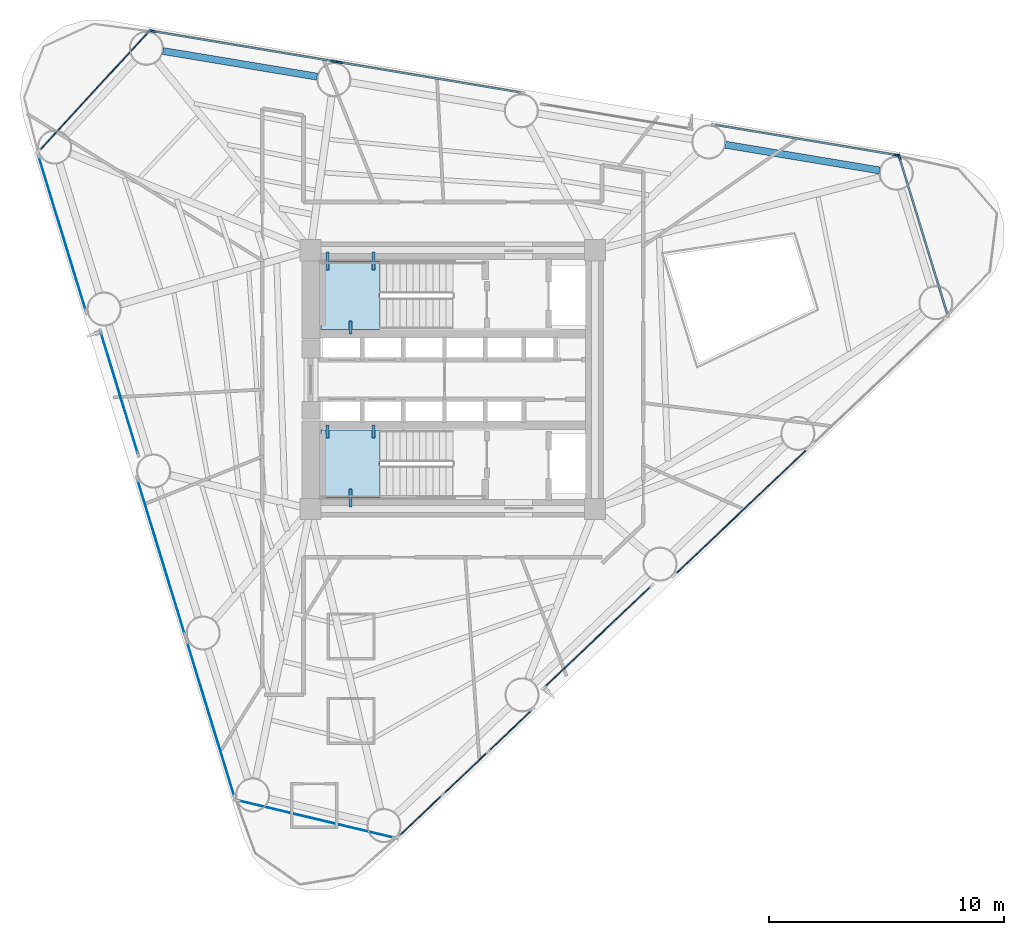
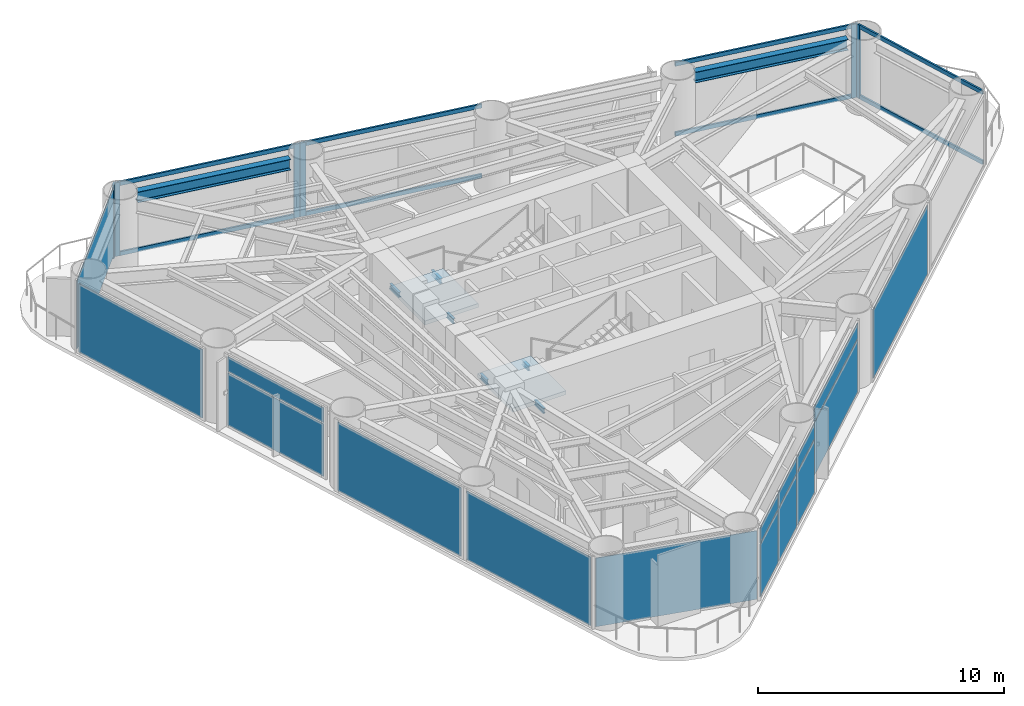
# One storey, part 4 of 10: 16 plates, 14 members, 8 beams, 2 slabs, 15 elements without a shape of their own.
"""IFC4 building model written with IfcOpenShell, lengths in metres."""

from ifc_helpers import new_model, si_unit, direction, frame, origin, origin_2d, place, context, subcontext, project, spatial, polyline, rectangle, i_section, outline, extrude, source, transform, mapped, material, layer, layer_set, material_profile, profile_set, type_object, element, aggregate, save


model = new_model("IFC4")

# Units and contexts
model_context = context("Model", 3, precision=1e-05, world=origin(), true_north=direction((0.0, 1.0)))
body_context = subcontext(model_context, "Body", "Model", "MODEL_VIEW")
ifc_project = project(units=[si_unit("LENGTHUNIT", "METRE"), si_unit("AREAUNIT", "SQUARE_METRE"), si_unit("VOLUMEUNIT", "CUBIC_METRE"), si_unit("PLANEANGLEUNIT", "RADIAN"), si_unit("MASSUNIT", "GRAM", prefix="KILO")], contexts=[model_context])

# Site, building, storey
site_placement = place(None, origin())
site = spatial("IfcSite", under=ifc_project, at=site_placement, CompositionType="ELEMENT")
building_placement = place(site_placement, origin())
building = spatial("IfcBuilding", under=site, at=building_placement, Name="Yunling Apex Tower", CompositionType="ELEMENT")
storey_placement = place(building_placement, frame((0.0, 0.0, 104.89990234375)))
storey = spatial("IfcBuildingStorey", under=building, at=storey_placement, Name="L26", CompositionType="ELEMENT", Elevation=104.89990234375)

# Beams
ifc_material_1 = material(Name="Steel Q355B", Category="steel")
ifc_material_profile_1 = material_profile(ifc_material_1, i_section(OverallWidth=0.125, OverallDepth=0.25, WebThickness=0.006103515625, FlangeThickness=0.009033203125, FilletRadius=0.011962890625, at=origin_2d()))
ifc_profile_set_1 = profile_set([ifc_material_profile_1], Name="Steel Q355B")
beam_type_1 = type_object("IfcBeamType", Name="BL-LNT-1", PredefinedType="LINTEL", material=ifc_profile_set_1)
shared_shape_1 = source(origin(), body_context, "Body", "SweptSolid", [
    extrude(i_section(OverallWidth=0.125, OverallDepth=0.25, WebThickness=0.006103515625, FlangeThickness=0.009033203125, FilletRadius=0.011962890625, at=origin_2d()), origin(), (0.0, 0.0, 1.0), 0.760009765625),
])
for number, where, z_axis, x_axis, name in (
    (1, (-5.320068359375, 5.419921875, 1.55517578125), (0.0, -1.0, 0.0), (1.0, 0.0, 0.0), "L26 ST-1 Landing Bearing Corbel 1-1"),
    (2, (-3.3701171875, 5.419921875, 1.55517578125), (0.0, -1.0, 0.0), (1.0, 0.0, 0.0), "L26 ST-1 Landing Bearing Corbel 1-2"),
    (3, (-4.344970703125, -5.419921875, 1.55517578125), (0.0, 1.0, 0.0), (-1.0, 0.0, 0.0), "L26 ST-2 Landing Bearing Corbel 1-3"),
):
    element("IfcBeam", number, at=place(storey_placement, frame(where, z_axis=z_axis, x_axis=x_axis)), inside=storey, type_object=beam_type_1, Name=name, PredefinedType="LINTEL", context=body_context, shape_type="MappedRepresentation", body=[
        mapped(shared_shape_1, transform((0.0, 0.0, 0.0), scale=1.0)),
    ])
shared_shape_2 = source(origin(), body_context, "Body", "SweptSolid", [
    extrude(i_section(OverallWidth=0.125, OverallDepth=0.25, WebThickness=0.006103515625, FlangeThickness=0.009033203125, FilletRadius=0.011962890625, at=origin_2d()), origin(), (0.0, 0.0, 1.0), 0.550048828125),
])
for number, where, z_axis, x_axis, name in (
    (4, (-4.344970703125, 1.93994140625, 1.55517578125), (0.0, 1.0, 0.0), (-1.0, 0.0, 0.0), "L26 ST-1 Landing Bearing Corbel 1-3"),
    (5, (-5.320068359375, -1.93994140625, 1.55517578125), (0.0, -1.0, 0.0), (1.0, 0.0, 0.0), "L26 ST-2 Landing Bearing Corbel 1-1"),
    (6, (-3.3701171875, -1.93994140625, 1.55517578125), (0.0, -1.0, 0.0), (1.0, 0.0, 0.0), "L26 ST-2 Landing Bearing Corbel 1-2"),
):
    element("IfcBeam", number, at=place(storey_placement, frame(where, z_axis=z_axis, x_axis=x_axis)), inside=storey, type_object=beam_type_1, Name=name, PredefinedType="LINTEL", context=body_context, shape_type="MappedRepresentation", body=[
        mapped(shared_shape_2, transform((0.0, 0.0, 0.0), scale=1.0)),
    ])
ifc_material_profile_2 = material_profile(ifc_material_1, i_section(OverallWidth=0.300048828125, OverallDepth=0.5400390625, WebThickness=0.011962890625, FlangeThickness=0.02001953125, FilletRadius=0.02392578125, at=origin_2d()))
ifc_profile_set_2 = profile_set([ifc_material_profile_2], Name="Steel Q355B")
beam_type_2 = type_object("IfcBeamType", Name="BP-SPN-1", PredefinedType="SPANDREL", material=ifc_profile_set_2)
shared_shape_3 = source(origin(), body_context, "Body", "SweptSolid", [
    extrude(i_section(OverallWidth=0.300048828125, OverallDepth=0.5400390625, WebThickness=0.011962890625, FlangeThickness=0.02001953125, FilletRadius=0.02392578125, at=origin_2d()), origin(), (0.0, 0.0, 1.0), 6.641845703125),
])
for number, where, z_axis, x_axis, name in (
    (7, (18.14599609375, 8.89111328125, 3.295166015625), (-0.986396904036, 0.164381105081, 0.0), (-0.164381105081, -0.986396904036, 0.0), "L26 Perimeter Spandrel Beam 6"),
    (8, (-5.763671875, 12.875244140625, 3.295166015625), (-0.986402863526, 0.164345340146, 0.0), (-0.164345340146, -0.986402863526, 0.0), "L26 Perimeter Spandrel Beam 9"),
):
    element("IfcBeam", number, at=place(storey_placement, frame(where, z_axis=z_axis, x_axis=x_axis)), inside=storey, type_object=beam_type_2, Name=name, PredefinedType="SPANDREL", context=body_context, shape_type="MappedRepresentation", body=[
        mapped(shared_shape_3, transform((0.0, 0.0, 0.0), scale=1.0)),
    ])

# Curtain wall, member
ifc_material_2 = material(Name="Bronze anodised aluminium", Category="aluminium")
ifc_layer_1 = layer(ifc_material_2, 0.260009765625)
ifc_layer_set_1 = layer_set([ifc_layer_1], Name="Bronze anodised aluminium")
curtain_wall_type = type_object("IfcCurtainWallType", Name="CW-SYS-2", PredefinedType="NOTDEFINED", material=ifc_layer_set_1)
curtain_wall_1_placement = place(storey_placement, origin())
curtain_wall_1 = element("IfcCurtainWall", 9, at=curtain_wall_1_placement, inside=storey, type_object=curtain_wall_type, Name="CW-L26-CRN1", PredefinedType="NOTDEFINED")
ifc_material_profile_3 = material_profile(ifc_material_2, rectangle(XDim=0.0849609375, YDim=0.260009765625, at=origin_2d()))
ifc_profile_set_3 = profile_set([ifc_material_profile_3], Name="Bronze anodised aluminium")
member_type_1 = type_object("IfcMemberType", Name="CW-MUL-2", PredefinedType="MULLION", material=ifc_profile_set_3)
shared_shape_4 = source(origin(), body_context, "Body", "SweptSolid", [
    extrude(rectangle(XDim=0.0849609375, YDim=0.260009765625, at=origin_2d()), origin(), (0.0, 0.0, 1.0), 3.664794921875),
])
member_1_placement = place(storey_placement, frame((18.9892578125, 9.46240234375, -0.0498046875), z_axis=(0.0, 0.0, 1.0), x_axis=(-0.95630374567, -0.292375009223, 0.0)))
member_1 = element("IfcMember", 10, at=member_1_placement, type_object=member_type_1, Name="CW-SYS-2 mullion 2", PredefinedType="MULLION", context=body_context, shape_type="MappedRepresentation", body=[
    mapped(shared_shape_4, transform((0.0, 0.0, 0.0), scale=1.0)),
])

curtain_wall_2_placement = place(storey_placement, origin())
curtain_wall_2 = element("IfcCurtainWall", 11, at=curtain_wall_2_placement, inside=storey, type_object=curtain_wall_type, Name="CW-L26-F2-B1", PredefinedType="NOTDEFINED")
member_2_placement = place(storey_placement, frame((18.859375, 9.54296875, -0.0498046875), z_axis=(0.0, 0.0, 1.0), x_axis=(-0.16436008369, -0.98640040698, 0.0)))
member_2 = element("IfcMember", 12, at=member_2_placement, type_object=member_type_1, Name="CW-SYS-2 mullion 1", PredefinedType="MULLION", context=body_context, shape_type="MappedRepresentation", body=[
    mapped(shared_shape_4, transform((0.0, 0.0, 0.0), scale=1.0)),
])

curtain_wall_3_placement = place(storey_placement, origin())
curtain_wall_3 = element("IfcCurtainWall", 13, at=curtain_wall_3_placement, inside=storey, type_object=curtain_wall_type, Name="CW-L26-F2-B3", PredefinedType="NOTDEFINED")
member_3_placement = place(storey_placement, frame((-4.80859375, 13.486572265625, -0.0498046875), z_axis=(0.0, 0.0, 1.0), x_axis=(-0.164362130784, -0.986400065878, 0.0)))
member_3 = element("IfcMember", 14, at=member_3_placement, type_object=member_type_1, Name="CW-SYS-2 mullion 2", PredefinedType="MULLION", context=body_context, shape_type="MappedRepresentation", body=[
    mapped(shared_shape_4, transform((0.0, 0.0, 0.0), scale=1.0)),
])

# Curtain wall, members
curtain_wall_4_placement = place(storey_placement, origin())
curtain_wall_4 = element("IfcCurtainWall", 15, at=curtain_wall_4_placement, inside=storey, type_object=curtain_wall_type, Name="CW-L26-F2-B4", PredefinedType="NOTDEFINED")
member_4_placement = place(storey_placement, frame((-5.05029296875, 13.52685546875, -0.0498046875), z_axis=(0.0, 0.0, 1.0), x_axis=(-0.16436008369, -0.98640040698, 0.0)))
member_4 = element("IfcMember", 16, at=member_4_placement, type_object=member_type_1, Name="CW-SYS-2 mullion 1", PredefinedType="MULLION", context=body_context, shape_type="MappedRepresentation", body=[
    mapped(shared_shape_4, transform((0.0, 0.0, 0.0), scale=1.0)),
])
member_5_placement = place(storey_placement, frame((-12.778564453125, 14.814697265625, -0.0498046875), z_axis=(0.0, 0.0, 1.0), x_axis=(-0.16436008369, -0.98640040698, 0.0)))
member_5 = element("IfcMember", 17, at=member_5_placement, type_object=member_type_1, Name="CW-SYS-2 mullion 2", PredefinedType="MULLION", context=body_context, shape_type="MappedRepresentation", body=[
    mapped(shared_shape_4, transform((0.0, 0.0, 0.0), scale=1.0)),
])

# Curtain wall, member
curtain_wall_5_placement = place(storey_placement, origin())
curtain_wall_5 = element("IfcCurtainWall", 18, at=curtain_wall_5_placement, inside=storey, type_object=curtain_wall_type, Name="CW-L26-CRN2", PredefinedType="NOTDEFINED")
member_6_placement = place(storey_placement, frame((-12.931396484375, 14.78369140625, -0.0498046875), z_axis=(0.0, 0.0, 1.0), x_axis=(0.736184624933, -0.676780760669, 0.0)))
member_6 = element("IfcMember", 19, at=member_6_placement, type_object=member_type_1, Name="CW-SYS-2 mullion 1", PredefinedType="MULLION", context=body_context, shape_type="MappedRepresentation", body=[
    mapped(shared_shape_4, transform((0.0, 0.0, 0.0), scale=1.0)),
])

# Member
ifc_material_profile_4 = material_profile(ifc_material_2, rectangle(XDim=0.0849609375, YDim=0.199951171875, at=origin_2d()))
ifc_profile_set_4 = profile_set([ifc_material_profile_4], Name="Bronze anodised aluminium")
member_type_2 = type_object("IfcMemberType", Name="CW-TRN-2", PredefinedType="USERDEFINED", material=ifc_profile_set_4)
shared_shape_5 = source(origin(), body_context, "Body", "SweptSolid", [
    extrude(rectangle(XDim=0.0849609375, YDim=0.199951171875, at=origin_2d()), origin(), (0.0, 0.0, 1.0), 7.75830078125),
])
member_7_placement = place(storey_placement, frame((18.821533203125, 9.549072265625, 0.04248046875), z_axis=(-0.986400726912, 0.164358163615, 0.0), x_axis=(-0.164358163615, -0.986400726912, 0.0)))
member_7 = element("IfcMember", 20, at=member_7_placement, type_object=member_type_2, Name="CW-SYS-2 transom 1.1", ObjectType="TRANSOM", PredefinedType="USERDEFINED", context=body_context, shape_type="MappedRepresentation", body=[
    mapped(shared_shape_5, transform((0.0, 0.0, 0.0), scale=1.0)),
])

member_8_placement = place(storey_placement, frame((18.821533203125, 9.549072265625, 3.522705078125), z_axis=(-0.986400726912, 0.164358163615, 0.0), x_axis=(-0.164358163615, -0.986400726912, 0.0)))
member_8 = element("IfcMember", 21, at=member_8_placement, type_object=member_type_2, Name="CW-SYS-2 transom 1.2", ObjectType="TRANSOM", PredefinedType="USERDEFINED", context=body_context, shape_type="MappedRepresentation", body=[
    mapped(shared_shape_5, transform((0.0, 0.0, 0.0), scale=1.0)),
])

aggregate(curtain_wall_2, [member_2, member_7, member_8])

member_9_placement = place(storey_placement, frame((2.8818359375, 12.205078125, 0.04248046875), z_axis=(-0.986400726912, 0.164358163615, 0.0), x_axis=(-0.164358163615, -0.986400726912, 0.0)))
member_9 = element("IfcMember", 22, at=member_9_placement, type_object=member_type_2, Name="CW-SYS-2 transom 1.1", ObjectType="TRANSOM", PredefinedType="USERDEFINED", context=body_context, shape_type="MappedRepresentation", body=[
    mapped(shared_shape_5, transform((0.0, 0.0, 0.0), scale=1.0)),
])

member_10_placement = place(storey_placement, frame((2.8818359375, 12.205078125, 3.522705078125), z_axis=(-0.986400726912, 0.164358163615, 0.0), x_axis=(-0.164358163615, -0.986400726912, 0.0)))
member_10 = element("IfcMember", 23, at=member_10_placement, type_object=member_type_2, Name="CW-SYS-2 transom 1.2", ObjectType="TRANSOM", PredefinedType="USERDEFINED", context=body_context, shape_type="MappedRepresentation", body=[
    mapped(shared_shape_5, transform((0.0, 0.0, 0.0), scale=1.0)),
])

aggregate(curtain_wall_3, [member_3, member_9, member_10])

member_11_placement = place(storey_placement, frame((-5.088134765625, 13.533203125, 0.04248046875), z_axis=(-0.986400726912, 0.164358163615, 0.0), x_axis=(-0.164358163615, -0.986400726912, 0.0)))
member_11 = element("IfcMember", 24, at=member_11_placement, type_object=member_type_2, Name="CW-SYS-2 transom 1.1", ObjectType="TRANSOM", PredefinedType="USERDEFINED", context=body_context, shape_type="MappedRepresentation", body=[
    mapped(shared_shape_5, transform((0.0, 0.0, 0.0), scale=1.0)),
])

member_12_placement = place(storey_placement, frame((-5.088134765625, 13.533203125, 3.522705078125), z_axis=(-0.986400726912, 0.164358163615, 0.0), x_axis=(-0.164358163615, -0.986400726912, 0.0)))
member_12 = element("IfcMember", 25, at=member_12_placement, type_object=member_type_2, Name="CW-SYS-2 transom 1.2", ObjectType="TRANSOM", PredefinedType="USERDEFINED", context=body_context, shape_type="MappedRepresentation", body=[
    mapped(shared_shape_5, transform((0.0, 0.0, 0.0), scale=1.0)),
])

aggregate(curtain_wall_4, [member_4, member_5, member_11, member_12])

shared_shape_6 = source(origin(), body_context, "Body", "SweptSolid", [
    extrude(rectangle(XDim=0.0849609375, YDim=0.199951171875, at=origin_2d()), origin(), (0.0, 0.0, 1.0), 6.91748046875),
])
member_13_placement = place(storey_placement, frame((21.02294921875, 2.810546875, 0.04248046875), z_axis=(-0.292369169584, 0.956305531029, 0.0), x_axis=(-0.956305531029, -0.292369169584, 0.0)))
member_13 = element("IfcMember", 26, at=member_13_placement, type_object=member_type_2, Name="CW-SYS-2 transom 1.1", ObjectType="TRANSOM", PredefinedType="USERDEFINED", context=body_context, shape_type="MappedRepresentation", body=[
    mapped(shared_shape_6, transform((0.0, 0.0, 0.0), scale=1.0)),
])

member_14_placement = place(storey_placement, frame((21.02294921875, 2.810546875, 3.522705078125), z_axis=(-0.292369169584, 0.956305531029, 0.0), x_axis=(-0.956305531029, -0.292369169584, 0.0)))
member_14 = element("IfcMember", 27, at=member_14_placement, type_object=member_type_2, Name="CW-SYS-2 transom 1.2", ObjectType="TRANSOM", PredefinedType="USERDEFINED", context=body_context, shape_type="MappedRepresentation", body=[
    mapped(shared_shape_6, transform((0.0, 0.0, 0.0), scale=1.0)),
])

aggregate(curtain_wall_1, [member_1, member_13, member_14])

# Stair, slab
ifc_material_3 = material(Name="Concrete C40", Category="concrete")
stair_type = type_object("IfcStairType", Name="ST-TWR-1", PredefinedType="HALF_TURN_STAIR", material=ifc_material_3)
stair_1_placement = place(storey_placement, origin())
stair_1 = element("IfcStair", 28, at=stair_1_placement, inside=storey, type_object=stair_type, Name="L26 North Core Smokeproof Exit Stair ST-1", PredefinedType="HALF_TURN_STAIR")
ifc_layer_2 = layer(ifc_material_3, 0.195068359375)
ifc_layer_set_2 = layer_set([ifc_layer_2], Name="Concrete C40")
slab_type = type_object("IfcSlabType", Name="SL-LND-1", PredefinedType="LANDING", material=ifc_layer_set_2)
slab_1_placement = place(storey_placement, frame((0.0, 0.0, 1.68017578125)))
slab_1 = element("IfcSlab", 29, at=slab_1_placement, type_object=slab_type, Name="ST-1 landing 1", PredefinedType="LANDING", context=body_context, shape_type="SweptSolid", body=[
    extrude(outline(polyline([(-3.090087890625, 5.010009765625), (-5.60009765625, 5.010009765625), (-5.60009765625, 2.139892578125), (-3.090087890625, 2.139892578125), (-3.090087890625, 5.010009765625)])), origin(), (0.0, 0.0, 1.0), 0.19482421875),
])
aggregate(stair_1, [slab_1])

stair_2_placement = place(storey_placement, origin())
stair_2 = element("IfcStair", 30, at=stair_2_placement, inside=storey, type_object=stair_type, Name="L26 South Core Smokeproof Exit Stair ST-2", PredefinedType="HALF_TURN_STAIR")
slab_2_placement = place(storey_placement, frame((0.0, 0.0, 1.68017578125)))
slab_2 = element("IfcSlab", 31, at=slab_2_placement, type_object=slab_type, Name="ST-2 landing 1", PredefinedType="LANDING", context=body_context, shape_type="SweptSolid", body=[
    extrude(outline(polyline([(-3.090087890625, -2.139892578125), (-5.60009765625, -2.139892578125), (-5.60009765625, -5.010009765625), (-3.090087890625, -5.010009765625), (-3.090087890625, -2.139892578125)])), origin(), (0.0, 0.0, 1.0), 0.19482421875),
])
aggregate(stair_2, [slab_2])

# Curtain wall, plates
curtain_wall_6_placement = place(storey_placement, origin())
curtain_wall_6 = element("IfcCurtainWall", 32, at=curtain_wall_6_placement, inside=storey, type_object=curtain_wall_type, Name="CW-L26-F1-B1", PredefinedType="NOTDEFINED")
ifc_material_4 = material(Name="Bronze tinted low-E glass", Category="glass")
ifc_layer_3 = layer(ifc_material_4, 0.033935546875)
ifc_layer_set_3 = layer_set([ifc_layer_3], Name="Bronze tinted low-E glass")
plate_type = type_object("IfcPlateType", Name="CW-PNL-2", PredefinedType="CURTAIN_PANEL", material=ifc_layer_set_3)
shared_shape_7 = source(origin(), body_context, "Body", "SweptSolid", [
    extrude(rectangle(XDim=2.52880859375, YDim=0.033935546875, at=origin_2d()), origin(), (0.0, 0.0, 1.0), 2.60400390625),
])
plate_1_placement = place(storey_placement, frame((-1.366943359375, -18.5341796875, 0.076904296875), z_axis=(0.0, 0.0, 1.0), x_axis=(0.72584218686, 0.687861264918, 0.0)))
plate_1 = element("IfcPlate", 33, at=plate_1_placement, type_object=plate_type, Name="CW-SYS-2 panel 1.1", PredefinedType="CURTAIN_PANEL", context=body_context, shape_type="MappedRepresentation", body=[
    mapped(shared_shape_7, transform((0.0, 0.0, 0.0), scale=1.0)),
])
plate_2_placement = place(storey_placement, frame((2.4345703125, -14.931640625, 0.076904296875), z_axis=(0.0, 0.0, 1.0), x_axis=(0.72584218686, 0.687861264918, 0.0)))
plate_2 = element("IfcPlate", 34, at=plate_2_placement, type_object=plate_type, Name="CW-SYS-2 panel 3.1", PredefinedType="CURTAIN_PANEL", context=body_context, shape_type="MappedRepresentation", body=[
    mapped(shared_shape_7, transform((0.0, 0.0, 0.0), scale=1.0)),
])
shared_shape_8 = source(origin(), body_context, "Body", "SweptSolid", [
    extrude(rectangle(XDim=2.52880859375, YDim=0.033935546875, at=origin_2d()), origin(), (0.0, 0.0, 1.0), 0.739013671875),
])
plate_3_placement = place(storey_placement, frame((-1.366943359375, -18.5341796875, 2.74951171875), z_axis=(0.0, 0.0, 1.0), x_axis=(0.72584218686, 0.687861264918, 0.0)))
plate_3 = element("IfcPlate", 35, at=plate_3_placement, type_object=plate_type, Name="CW-SYS-2 panel 1.2", PredefinedType="CURTAIN_PANEL", context=body_context, shape_type="MappedRepresentation", body=[
    mapped(shared_shape_8, transform((0.0, 0.0, 0.0), scale=1.0)),
])
plate_4_placement = place(storey_placement, frame((2.4345703125, -14.931640625, 2.74951171875), z_axis=(0.0, 0.0, 1.0), x_axis=(0.72584218686, 0.687861264918, 0.0)))
plate_4 = element("IfcPlate", 36, at=plate_4_placement, type_object=plate_type, Name="CW-SYS-2 panel 3.2", PredefinedType="CURTAIN_PANEL", context=body_context, shape_type="MappedRepresentation", body=[
    mapped(shared_shape_8, transform((0.0, 0.0, 0.0), scale=1.0)),
])
shared_shape_9 = source(origin(), body_context, "Body", "SweptSolid", [
    extrude(rectangle(XDim=2.571533203125, YDim=0.033935546875, at=origin_2d()), origin(), (0.0, 0.0, 1.0), 2.60400390625),
])
plate_5_placement = place(storey_placement, frame((0.53369140625, -16.73291015625, 0.076904296875), z_axis=(0.0, 0.0, 1.0), x_axis=(0.72584218686, 0.687861264918, 0.0)))
plate_5 = element("IfcPlate", 37, at=plate_5_placement, type_object=plate_type, Name="CW-SYS-2 panel 2.1", PredefinedType="CURTAIN_PANEL", context=body_context, shape_type="MappedRepresentation", body=[
    mapped(shared_shape_9, transform((0.0, 0.0, 0.0), scale=1.0)),
])
shared_shape_10 = source(origin(), body_context, "Body", "SweptSolid", [
    extrude(rectangle(XDim=2.571533203125, YDim=0.033935546875, at=origin_2d()), origin(), (0.0, 0.0, 1.0), 0.739013671875),
])
plate_6_placement = place(storey_placement, frame((0.53369140625, -16.73291015625, 2.74951171875), z_axis=(0.0, 0.0, 1.0), x_axis=(0.72584218686, 0.687861264918, 0.0)))
plate_6 = element("IfcPlate", 38, at=plate_6_placement, type_object=plate_type, Name="CW-SYS-2 panel 2.2", PredefinedType="CURTAIN_PANEL", context=body_context, shape_type="MappedRepresentation", body=[
    mapped(shared_shape_10, transform((0.0, 0.0, 0.0), scale=1.0)),
])
aggregate(curtain_wall_6, [plate_1, plate_3, plate_5, plate_6, plate_2, plate_4])

curtain_wall_7_placement = place(storey_placement, origin())
curtain_wall_7 = element("IfcCurtainWall", 39, at=curtain_wall_7_placement, inside=storey, type_object=curtain_wall_type, Name="CW-L26-F1-B2", PredefinedType="NOTDEFINED")
shared_shape_11 = source(origin(), body_context, "Body", "SweptSolid", [
    extrude(rectangle(XDim=6.236328125, YDim=0.033935546875, at=origin_2d()), origin(), (0.0, 0.0, 1.0), 2.60400390625),
])
plate_7_placement = place(storey_placement, frame((6.16455078125, -10.928466796875, 0.076904296875), z_axis=(0.0, 0.0, 1.0), x_axis=(0.725858092234, 0.687844480924, 0.0)))
plate_7 = element("IfcPlate", 40, at=plate_7_placement, type_object=plate_type, Name="CW-SYS-2 panel 1.1", PredefinedType="CURTAIN_PANEL", context=body_context, shape_type="MappedRepresentation", body=[
    mapped(shared_shape_11, transform((0.0, 0.0, 0.0), scale=1.0)),
])
shared_shape_12 = source(origin(), body_context, "Body", "SweptSolid", [
    extrude(rectangle(XDim=6.236328125, YDim=0.033935546875, at=origin_2d()), origin(), (0.0, 0.0, 1.0), 0.739013671875),
])
plate_8_placement = place(storey_placement, frame((6.16455078125, -10.928466796875, 2.74951171875), z_axis=(0.0, 0.0, 1.0), x_axis=(0.725858092234, 0.687844480924, 0.0)))
plate_8 = element("IfcPlate", 41, at=plate_8_placement, type_object=plate_type, Name="CW-SYS-2 panel 1.2", PredefinedType="CURTAIN_PANEL", context=body_context, shape_type="MappedRepresentation", body=[
    mapped(shared_shape_12, transform((0.0, 0.0, 0.0), scale=1.0)),
])
aggregate(curtain_wall_7, [plate_7, plate_8])

# Curtain wall, plate
curtain_wall_8_placement = place(storey_placement, origin())
curtain_wall_8 = element("IfcCurtainWall", 42, at=curtain_wall_8_placement, inside=storey, type_object=curtain_wall_type, Name="CW-L26-F1-B3", PredefinedType="NOTDEFINED")
shared_shape_13 = source(origin(), body_context, "Body", "SweptSolid", [
    extrude(rectangle(XDim=7.766357421875, YDim=0.033935546875, at=origin_2d()), origin(), (0.0, 0.0, 1.0), 3.41162109375),
])
plate_9_placement = place(storey_placement, frame((12.26318359375, -5.61767578125, 0.076904296875), z_axis=(0.0, 0.0, 1.0), x_axis=(0.72584218686, 0.687861264918, 0.0)))
plate_9 = element("IfcPlate", 43, at=plate_9_placement, type_object=plate_type, Name="CW-SYS-2 panel 1.1", PredefinedType="CURTAIN_PANEL", context=body_context, shape_type="MappedRepresentation", body=[
    mapped(shared_shape_13, transform((0.0, 0.0, 0.0), scale=1.0)),
])
aggregate(curtain_wall_8, [plate_9])

# Plate
shared_shape_14 = source(origin(), body_context, "Body", "SweptSolid", [
    extrude(rectangle(XDim=6.83935546875, YDim=0.033935546875, at=origin_2d()), origin(), (0.0, 0.0, 1.0), 3.41162109375),
])
plate_10_placement = place(storey_placement, frame((-15.26904296875, 12.240966796875, 0.076904296875), z_axis=(0.0, 0.0, 1.0), x_axis=(-0.676780760669, -0.736184624933, 0.0)))
plate_10 = element("IfcPlate", 44, at=plate_10_placement, type_object=plate_type, Name="CW-SYS-2 panel 1.1", PredefinedType="CURTAIN_PANEL", context=body_context, shape_type="MappedRepresentation", body=[
    mapped(shared_shape_14, transform((0.0, 0.0, 0.0), scale=1.0)),
])

aggregate(curtain_wall_5, [member_6, plate_10])

# Curtain wall, plate
curtain_wall_9_placement = place(storey_placement, origin())
curtain_wall_9 = element("IfcCurtainWall", 45, at=curtain_wall_9_placement, inside=storey, type_object=curtain_wall_type, Name="CW-L26-CRN3", PredefinedType="NOTDEFINED")
plate_11_placement = place(storey_placement, frame((-5.8134765625, -18.6865234375, 0.076904296875), z_axis=(0.0, 0.0, 1.0), x_axis=(0.972740811528, -0.23189504865, 0.0)))
plate_11 = element("IfcPlate", 46, at=plate_11_placement, type_object=plate_type, Name="CW-SYS-2 panel 1.1", PredefinedType="CURTAIN_PANEL", context=body_context, shape_type="MappedRepresentation", body=[
    mapped(shared_shape_14, transform((0.0, 0.0, 0.0), scale=1.0)),
])
aggregate(curtain_wall_9, [plate_11])

curtain_wall_10_placement = place(storey_placement, origin())
curtain_wall_10 = element("IfcCurtainWall", 47, at=curtain_wall_10_placement, inside=storey, type_object=curtain_wall_type, Name="CW-L26-F3-B1", PredefinedType="NOTDEFINED")
shared_shape_15 = source(origin(), body_context, "Body", "SweptSolid", [
    extrude(rectangle(XDim=6.88671875, YDim=0.033935546875, at=origin_2d()), origin(), (0.0, 0.0, 1.0), 3.41162109375),
])
plate_12_placement = place(storey_placement, frame((-16.601806640625, 6.21826171875, 0.076904296875), z_axis=(0.0, 0.0, 1.0), x_axis=(0.292372619321, -0.956304476342, 0.0)))
plate_12 = element("IfcPlate", 48, at=plate_12_placement, type_object=plate_type, Name="CW-SYS-2 panel 1.1", PredefinedType="CURTAIN_PANEL", context=body_context, shape_type="MappedRepresentation", body=[
    mapped(shared_shape_15, transform((0.0, 0.0, 0.0), scale=1.0)),
])
aggregate(curtain_wall_10, [plate_12])

curtain_wall_11_placement = place(storey_placement, origin())
curtain_wall_11 = element("IfcCurtainWall", 49, at=curtain_wall_11_placement, inside=storey, type_object=curtain_wall_type, Name="CW-L26-F3-B3", PredefinedType="NOTDEFINED")
plate_13_placement = place(storey_placement, frame((-12.3916015625, -7.552978515625, 0.076904296875), z_axis=(0.0, 0.0, 1.0), x_axis=(0.292372619321, -0.956304476342, 0.0)))
plate_13 = element("IfcPlate", 50, at=plate_13_placement, type_object=plate_type, Name="CW-SYS-2 panel 1.1", PredefinedType="CURTAIN_PANEL", context=body_context, shape_type="MappedRepresentation", body=[
    mapped(shared_shape_15, transform((0.0, 0.0, 0.0), scale=1.0)),
])
aggregate(curtain_wall_11, [plate_13])

curtain_wall_12_placement = place(storey_placement, origin())
curtain_wall_12 = element("IfcCurtainWall", 51, at=curtain_wall_12_placement, inside=storey, type_object=curtain_wall_type, Name="CW-L26-F3-B4", PredefinedType="NOTDEFINED")
plate_14_placement = place(storey_placement, frame((-10.286376953125, -14.438720703125, 0.076904296875), z_axis=(0.0, 0.0, 1.0), x_axis=(0.292372619321, -0.956304476342, 0.0)))
plate_14 = element("IfcPlate", 52, at=plate_14_placement, type_object=plate_type, Name="CW-SYS-2 panel 1.1", PredefinedType="CURTAIN_PANEL", context=body_context, shape_type="MappedRepresentation", body=[
    mapped(shared_shape_15, transform((0.0, 0.0, 0.0), scale=1.0)),
])
aggregate(curtain_wall_12, [plate_14])

# Curtain wall, plates
curtain_wall_13_placement = place(storey_placement, origin())
curtain_wall_13 = element("IfcCurtainWall", 53, at=curtain_wall_13_placement, inside=storey, type_object=curtain_wall_type, Name="CW-L26-F3-B2", PredefinedType="NOTDEFINED")
shared_shape_16 = source(origin(), body_context, "Body", "SweptSolid", [
    extrude(rectangle(XDim=5.356689453125, YDim=0.033935546875, at=origin_2d()), origin(), (0.0, 0.0, 1.0), 2.60400390625),
])
plate_15_placement = place(storey_placement, frame((-14.17138671875, -0.56787109375, 0.076904296875), z_axis=(0.0, 0.0, 1.0), x_axis=(0.292363767199, -0.956307182672, 0.0)))
plate_15 = element("IfcPlate", 54, at=plate_15_placement, type_object=plate_type, Name="CW-SYS-2 panel 1.1", PredefinedType="CURTAIN_PANEL", context=body_context, shape_type="MappedRepresentation", body=[
    mapped(shared_shape_16, transform((0.0, 0.0, 0.0), scale=1.0)),
])
shared_shape_17 = source(origin(), body_context, "Body", "SweptSolid", [
    extrude(rectangle(XDim=5.356689453125, YDim=0.033935546875, at=origin_2d()), origin(), (0.0, 0.0, 1.0), 0.739013671875),
])
plate_16_placement = place(storey_placement, frame((-14.17138671875, -0.56787109375, 2.74951171875), z_axis=(0.0, 0.0, 1.0), x_axis=(0.292363767199, -0.956307182672, 0.0)))
plate_16 = element("IfcPlate", 55, at=plate_16_placement, type_object=plate_type, Name="CW-SYS-2 panel 1.2", PredefinedType="CURTAIN_PANEL", context=body_context, shape_type="MappedRepresentation", body=[
    mapped(shared_shape_17, transform((0.0, 0.0, 0.0), scale=1.0)),
])
aggregate(curtain_wall_13, [plate_15, plate_16])

save(model, "model.ifc")
